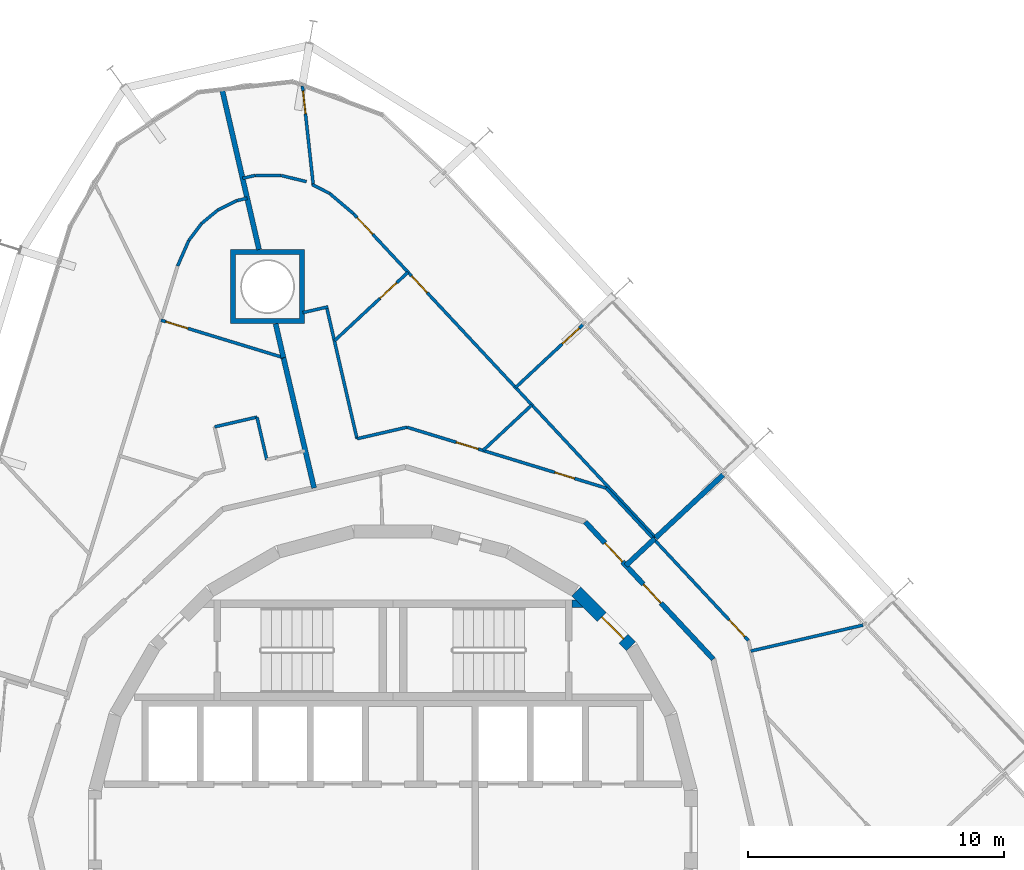
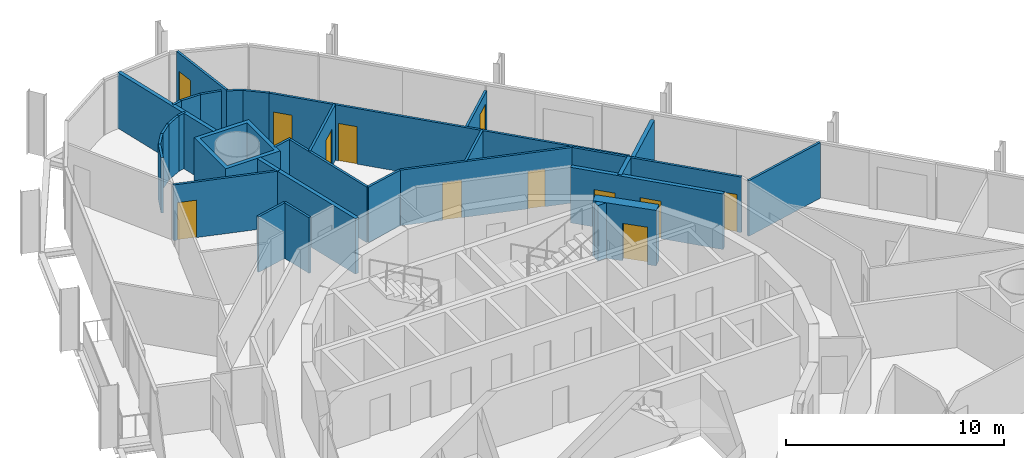
# One storey, part 16 of 18: 33 walls, 12 doors, 12 openings.
"""IFC4 building model written with IfcOpenShell, lengths in metres."""

from ifc_helpers import new_model, si_unit, direction, frame, frame_2d, origin, place, context, subcontext, project, spatial, polyline, rectangle, outline, extrude, material, layer, layer_set, type_object, element, fill, save


model = new_model("IFC4")

# Units and contexts
model_context = context("Model", 3, precision=1e-05, world=origin(), true_north=direction((0.0, 1.0)))
body_context = subcontext(model_context, "Body", "Model", "MODEL_VIEW")
ifc_project = project(units=[si_unit("LENGTHUNIT", "METRE"), si_unit("AREAUNIT", "SQUARE_METRE"), si_unit("VOLUMEUNIT", "CUBIC_METRE"), si_unit("PLANEANGLEUNIT", "RADIAN"), si_unit("MASSUNIT", "GRAM", prefix="KILO")], contexts=[model_context])

# Site, building, storey
site_placement = place(None, origin())
site = spatial("IfcSite", under=ifc_project, at=site_placement, CompositionType="ELEMENT")
building_placement = place(site_placement, origin())
building = spatial("IfcBuilding", under=site, at=building_placement, Name="Spindle Arch Residences", CompositionType="ELEMENT")
storey_placement = place(building_placement, frame((0.0, 0.0, 137.89990234375)))
storey = spatial("IfcBuildingStorey", under=building, at=storey_placement, Name="L34", CompositionType="ELEMENT", Elevation=137.89990234375)

# Wall, opening, door
ifc_material_1 = material(Name="Concrete C50/60", Category="concrete")
ifc_layer_1 = layer(ifc_material_1, 0.5)
ifc_layer_set_1 = layer_set([ifc_layer_1], Name="Core outline wall 500")
wall_type_1 = type_object("IfcWallType", Name="Core outline wall 500", PredefinedType="SHEAR", material=ifc_layer_set_1)
wall_1_placement = place(storey_placement, frame((9.30810546875, 7.163818359375, 0.0), z_axis=(0.0, 0.0, 1.0), x_axis=(-0.707106781187, 0.707106781187, 0.0)))
wall_1 = element("IfcWall", 1, at=wall_1_placement, inside=storey, type_object=wall_type_1, Name="Core outline wall 9", PredefinedType="SHEAR", context=body_context, shape_type="SweptSolid", body=[
    extrude(rectangle(XDim=3.032470703125, YDim=0.5, at=frame_2d((1.51611328125, 0.0))), origin(), (0.0, 0.0, 1.0), 3.1201171875),
])
opening_1_placement = place(wall_1_placement, frame((0.416259765625, 0.0, 0.0)))
opening_1 = element("IfcOpeningElement", 2, at=opening_1_placement, cuts=wall_1, Name="Opening R3C1-AD01", PredefinedType="OPENING", context=body_context, shape_type="SweptSolid", body=[
    extrude(rectangle(XDim=1.199951171875, YDim=2.10009765625, at=frame_2d((0.60009765625, 1.050048828125))), frame((0.0, 0.260009765625, 0.0), z_axis=(0.0, -1.0, 0.0), x_axis=(1.0, 0.0, 0.0)), (0.0, 0.0, 1.0), 0.52001953125),
])
ifc_material_2 = material(Name="Steel, fire-resisting door", Category="steel")
door_type_1 = type_object("IfcDoorType", Name="Stair airlock door 1200x2100", OperationType="SINGLE_SWING_LEFT", PredefinedType="DOOR", material=ifc_material_2)
door_1_placement = place(opening_1_placement, origin())
door_1 = element("IfcDoor", 3, at=door_1_placement, inside=storey, type_object=door_type_1, Name="Stair airlock door R3C1-AD01", OperationType="SINGLE_SWING_RIGHT", OverallHeight=2.10009765625, OverallWidth=1.199951171875, PredefinedType="DOOR", context=body_context, shape_type="SweptSolid", body=[
    extrude(rectangle(XDim=1.199951171875, YDim=2.10009765625, at=frame_2d((0.60009765625, 1.050048828125))), frame((0.0, 0.02490234375, 0.0), z_axis=(0.0, -1.0, 0.0), x_axis=(1.0, 0.0, 0.0)), (0.0, 0.0, 1.0), 0.050048828125),
])
fill(opening_1, door_1)

# Wall, openings, doors
ifc_material_3 = material(Name="Calcium silicate block, plastered")
ifc_layer_2 = layer(ifc_material_3, 0.199951171875)
ifc_layer_set_2 = layer_set([ifc_layer_2], Name="Corridor wall 200")
wall_type_2 = type_object("IfcWallType", Name="Corridor wall 200", PredefinedType="STANDARD", material=ifc_layer_set_2)
wall_2_placement = place(storey_placement, frame((12.523193359375, 6.65869140625, 0.0), z_axis=(0.0, 0.0, 1.0), x_axis=(-0.682001841105, 0.731350455479, 0.0)))
wall_2 = element("IfcWall", 4, at=wall_2_placement, inside=storey, type_object=wall_type_2, Name="Corridor wall R3C1-W006", PredefinedType="STANDARD", context=body_context, shape_type="SweptSolid", body=[
    extrude(rectangle(XDim=7.341796875, YDim=0.199951171875, at=frame_2d((3.6708984375, 0.0))), origin(), (0.0, 0.0, 1.0), 3.1201171875),
])
opening_2_placement = place(wall_2_placement, frame((3.0, 0.0, 0.0)))
opening_2 = element("IfcOpeningElement", 5, at=opening_2_placement, cuts=wall_2, Name="Opening R3C1-FD01", PredefinedType="OPENING", context=body_context, shape_type="SweptSolid", body=[
    extrude(rectangle(XDim=1.0, YDim=2.10009765625, at=frame_2d((0.5, 1.050048828125))), frame((0.0, 0.10986328125, 0.0), z_axis=(0.0, -1.0, 0.0), x_axis=(1.0, 0.0, 0.0)), (0.0, 0.0, 1.0), 0.219970703125),
])
opening_3_placement = place(wall_2_placement, frame((5.209228515625, 0.0, 0.0)))
opening_3 = element("IfcOpeningElement", 6, at=opening_3_placement, cuts=wall_2, Name="Opening R3C1-FD02", PredefinedType="OPENING", context=body_context, shape_type="SweptSolid", body=[
    extrude(rectangle(XDim=1.0, YDim=2.10009765625, at=frame_2d((0.5, 1.050048828125))), frame((0.0, 0.10986328125, 0.0), z_axis=(0.0, -1.0, 0.0), x_axis=(1.0, 0.0, 0.0)), (0.0, 0.0, 1.0), 0.219970703125),
])
ifc_material_4 = material(Name="Timber, fire-resisting door set", Category="wood")
door_type_2 = type_object("IfcDoorType", Name="Flat entrance door 1000x2100", OperationType="NOTDEFINED", PredefinedType="DOOR", material=ifc_material_4)
door_2_placement = place(opening_2_placement, origin())
door_2 = element("IfcDoor", 7, at=door_2_placement, inside=storey, type_object=door_type_2, Name="Flat entrance door R3C1-FD01", OperationType="SINGLE_SWING_LEFT", OverallHeight=2.10009765625, OverallWidth=1.0, PredefinedType="DOOR", context=body_context, shape_type="SweptSolid", body=[
    extrude(rectangle(XDim=1.0, YDim=2.10009765625, at=frame_2d((0.5, 1.050048828125))), frame((0.0, 0.02490234375, 0.0), z_axis=(0.0, -1.0, 0.0), x_axis=(1.0, 0.0, 0.0)), (0.0, 0.0, 1.0), 0.050048828125),
])
fill(opening_2, door_2)
door_3_placement = place(opening_3_placement, origin())
door_3 = element("IfcDoor", 8, at=door_3_placement, inside=storey, type_object=door_type_2, Name="Flat entrance door R3C1-FD02", OperationType="SINGLE_SWING_RIGHT", OverallHeight=2.10009765625, OverallWidth=1.0, PredefinedType="DOOR", context=body_context, shape_type="SweptSolid", body=[
    extrude(rectangle(XDim=1.0, YDim=2.10009765625, at=frame_2d((0.5, 1.050048828125))), frame((0.0, 0.02490234375, 0.0), z_axis=(0.0, -1.0, 0.0), x_axis=(1.0, 0.0, 0.0)), (0.0, 0.0, 1.0), 0.050048828125),
])
fill(opening_3, door_3)

# Wall, opening, door
ifc_material_5 = material(Name="Plasterboard on steel studs", Category="steel")
ifc_layer_3 = layer(ifc_material_5, 0.1201171875)
ifc_layer_set_3 = layer_set([ifc_layer_3], Name="Flat partition 120")
wall_type_3 = type_object("IfcWallType", Name="Flat partition 120", PredefinedType="PARTITIONING", material=ifc_layer_set_3)
wall_3_placement = place(storey_placement, frame((13.894287109375, 7.3876953125, 0.0), z_axis=(0.0, 0.0, 1.0), x_axis=(-0.681994622729, 0.731357186721, 0.0)))
wall_3 = element("IfcWall", 9, at=wall_3_placement, inside=storey, type_object=wall_type_3, Name="Flat partition R3C1-W034", PredefinedType="PARTITIONING", context=body_context, shape_type="SweptSolid", body=[
    extrude(rectangle(XDim=8.145751953125, YDim=0.1201171875, at=frame_2d((4.07275390625, 0.0))), origin(), (0.0, 0.0, 1.0), 3.1201171875),
])
opening_4_placement = place(wall_3_placement, frame((0.199951171875, 0.0, 0.0)))
opening_4 = element("IfcOpeningElement", 10, at=opening_4_placement, cuts=wall_3, Name="Opening R3C1-ID03", PredefinedType="OPENING", context=body_context, shape_type="SweptSolid", body=[
    extrude(rectangle(XDim=0.89990234375, YDim=2.10009765625, at=frame_2d((0.449951171875, 1.050048828125))), frame((0.0, 0.070068359375, 0.0), z_axis=(0.0, -1.0, 0.0), x_axis=(1.0, 0.0, 0.0)), (0.0, 0.0, 1.0), 0.14013671875),
])
ifc_material_6 = material(Name="Timber door set", Category="wood")
door_type_3 = type_object("IfcDoorType", Name="Room door 900x2100", OperationType="NOTDEFINED", PredefinedType="DOOR", material=ifc_material_6)
door_4_placement = place(opening_4_placement, origin())
door_4 = element("IfcDoor", 11, at=door_4_placement, inside=storey, type_object=door_type_3, Name="Room door R3C1-ID03", OperationType="SINGLE_SWING_LEFT", OverallHeight=2.10009765625, OverallWidth=0.89990234375, PredefinedType="DOOR", context=body_context, shape_type="SweptSolid", body=[
    extrude(rectangle(XDim=0.89990234375, YDim=2.10009765625, at=frame_2d((0.449951171875, 1.050048828125))), frame((0.0, 0.02490234375, 0.0), z_axis=(0.0, -1.0, 0.0), x_axis=(1.0, 0.0, 0.0)), (0.0, 0.0, 1.0), 0.050048828125),
])
fill(opening_4, door_4)

# Wall
wall_4_placement = place(storey_placement, frame((18.379150390625, 7.989990234375, 0.0), z_axis=(0.0, 0.0, 1.0), x_axis=(-0.974372926515, -0.224938658471, 0.0)))
element("IfcWall", 12, at=wall_4_placement, inside=storey, type_object=wall_type_3, Name="Flat partition R3C1-W040", PredefinedType="PARTITIONING", context=body_context, shape_type="SweptSolid", body=[
    extrude(rectangle(XDim=4.50537109375, YDim=0.1201171875, at=frame_2d((2.252685546875, 0.0))), origin(), (0.0, 0.0, 1.0), 3.1201171875),
])

# Wall, openings, doors
wall_5_placement = place(storey_placement, frame((8.3388671875, 13.34521484375, 0.0), z_axis=(0.0, 0.0, 1.0), x_axis=(-0.956310145342, 0.292354076276, 0.0)))
wall_5 = element("IfcWall", 13, at=wall_5_placement, inside=storey, type_object=wall_type_3, Name="Flat partition R3C1-W043", PredefinedType="PARTITIONING", context=body_context, shape_type="SweptSolid", body=[
    extrude(rectangle(XDim=8.1455078125, YDim=0.1201171875, at=frame_2d((4.07275390625, 0.0))), origin(), (0.0, 0.0, 1.0), 3.1201171875),
])
opening_5_placement = place(wall_5_placement, frame((1.300048828125, 0.0, 0.0)))
opening_5 = element("IfcOpeningElement", 14, at=opening_5_placement, cuts=wall_5, Name="Opening R3C1-BD02", PredefinedType="OPENING", context=body_context, shape_type="SweptSolid", body=[
    extrude(rectangle(XDim=0.800048828125, YDim=2.10009765625, at=frame_2d((0.39990234375, 1.050048828125))), frame((0.0, 0.070068359375, 0.0), z_axis=(0.0, -1.0, 0.0), x_axis=(1.0, 0.0, 0.0)), (0.0, 0.0, 1.0), 0.14013671875),
])
opening_6_placement = place(wall_5_placement, frame((5.236572265625, 0.0, 0.0)))
opening_6 = element("IfcOpeningElement", 15, at=opening_6_placement, cuts=wall_5, Name="Opening R3C1-ID07", PredefinedType="OPENING", context=body_context, shape_type="SweptSolid", body=[
    extrude(rectangle(XDim=0.89990234375, YDim=2.10009765625, at=frame_2d((0.449951171875, 1.050048828125))), frame((0.0, 0.070068359375, 0.0), z_axis=(0.0, -1.0, 0.0), x_axis=(1.0, 0.0, 0.0)), (0.0, 0.0, 1.0), 0.14013671875),
])
ifc_material_7 = material(Name="Timber door set", Category="wood")
door_type_4 = type_object("IfcDoorType", Name="Bathroom door 800x2100", OperationType="NOTDEFINED", PredefinedType="DOOR", material=ifc_material_7)
door_5_placement = place(opening_5_placement, origin())
door_5 = element("IfcDoor", 16, at=door_5_placement, inside=storey, type_object=door_type_4, Name="Bathroom door R3C1-BD02", OperationType="SINGLE_SWING_RIGHT", OverallHeight=2.10009765625, OverallWidth=0.800048828125, PredefinedType="DOOR", context=body_context, shape_type="SweptSolid", body=[
    extrude(rectangle(XDim=0.800048828125, YDim=2.10009765625, at=frame_2d((0.39990234375, 1.050048828125))), frame((0.0, 0.02490234375, 0.0), z_axis=(0.0, -1.0, 0.0), x_axis=(1.0, 0.0, 0.0)), (0.0, 0.0, 1.0), 0.050048828125),
])
fill(opening_5, door_5)
door_6_placement = place(opening_6_placement, origin())
door_6 = element("IfcDoor", 17, at=door_6_placement, inside=storey, type_object=door_type_3, Name="Room door R3C1-ID07", OperationType="SINGLE_SWING_RIGHT", OverallHeight=2.10009765625, OverallWidth=0.89990234375, PredefinedType="DOOR", context=body_context, shape_type="SweptSolid", body=[
    extrude(rectangle(XDim=0.89990234375, YDim=2.10009765625, at=frame_2d((0.449951171875, 1.050048828125))), frame((0.0, 0.02490234375, 0.0), z_axis=(0.0, -1.0, 0.0), x_axis=(1.0, 0.0, 0.0)), (0.0, 0.0, 1.0), 0.050048828125),
])
fill(opening_6, door_6)

# Walls
wall_6_placement = place(storey_placement, frame((0.54931640625, 15.7265625, 0.0), z_axis=(0.0, 0.0, 1.0), x_axis=(-0.97436861061, -0.224957352975, 0.0)))
element("IfcWall", 18, at=wall_6_placement, inside=storey, type_object=wall_type_3, Name="Flat partition R3C1-W044", PredefinedType="PARTITIONING", context=body_context, shape_type="SweptSolid", body=[
    extrude(rectangle(XDim=2.00439453125, YDim=0.1201171875, at=frame_2d((1.002197265625, 0.0))), origin(), (0.0, 0.0, 1.0), 3.1201171875),
])
wall_7_placement = place(storey_placement, frame((-1.40380859375, 15.275634765625, 0.0), z_axis=(0.0, 0.0, 1.0), x_axis=(-0.224947305813, 0.974370930194, 0.0)))
element("IfcWall", 19, at=wall_7_placement, inside=storey, type_object=wall_type_3, Name="Flat partition R3C1-W045", PredefinedType="PARTITIONING", context=body_context, shape_type="SweptSolid", body=[
    extrude(rectangle(XDim=5.280029296875, YDim=0.1201171875, at=frame_2d((2.64013671875, 0.0))), origin(), (0.0, 0.0, 1.0), 3.1201171875),
])
wall_8_placement = place(storey_placement, frame((-2.533203125, 20.43408203125, 0.0), z_axis=(0.0, 0.0, 1.0), x_axis=(-0.974387124574, -0.224877147491, 0.0)))
element("IfcWall", 20, at=wall_8_placement, inside=storey, type_object=wall_type_3, Name="Flat partition R3C1-W046", PredefinedType="PARTITIONING", context=body_context, shape_type="SweptSolid", body=[
    extrude(rectangle(XDim=1.0107421875, YDim=0.1201171875, at=frame_2d((0.50537109375, 0.0))), origin(), (0.0, 0.0, 1.0), 3.1201171875),
])

# Wall, openings, doors
wall_9_placement = place(storey_placement, frame((-1.538818359375, 24.07080078125, 0.0), z_axis=(0.0, 0.0, 1.0), x_axis=(0.68200220595, -0.731350115252, 0.0)))
wall_9 = element("IfcWall", 21, at=wall_9_placement, inside=storey, type_object=wall_type_3, Name="Flat partition R3C1-W047", PredefinedType="PARTITIONING", context=body_context, shape_type="SweptSolid", body=[
    extrude(rectangle(XDim=17.315673828125, YDim=0.1201171875, at=frame_2d((8.65771484375, 0.0))), origin(), (0.0, 0.0, 1.0), 3.1201171875),
])
opening_7_placement = place(wall_9_placement, frame((3.322998046875, 0.0, 0.0)))
opening_7 = element("IfcOpeningElement", 22, at=opening_7_placement, cuts=wall_9, Name="Opening R3C1-ID08", PredefinedType="OPENING", context=body_context, shape_type="SweptSolid", body=[
    extrude(rectangle(XDim=0.89990234375, YDim=2.10009765625, at=frame_2d((0.449951171875, 1.050048828125))), frame((0.0, 0.070068359375, 0.0), z_axis=(0.0, -1.0, 0.0), x_axis=(1.0, 0.0, 0.0)), (0.0, 0.0, 1.0), 0.14013671875),
])
opening_8_placement = place(wall_9_placement, frame((0.199951171875, 0.0, 0.0)))
opening_8 = element("IfcOpeningElement", 23, at=opening_8_placement, cuts=wall_9, Name="Opening R3C1-ID12", PredefinedType="OPENING", context=body_context, shape_type="SweptSolid", body=[
    extrude(rectangle(XDim=0.89990234375, YDim=2.10009765625, at=frame_2d((0.449951171875, 1.050048828125))), frame((0.0, 0.070068359375, 0.0), z_axis=(0.0, -1.0, 0.0), x_axis=(1.0, 0.0, 0.0)), (0.0, 0.0, 1.0), 0.14013671875),
])
door_7_placement = place(opening_7_placement, origin())
door_7 = element("IfcDoor", 24, at=door_7_placement, inside=storey, type_object=door_type_3, Name="Room door R3C1-ID08", OperationType="SINGLE_SWING_RIGHT", OverallHeight=2.10009765625, OverallWidth=0.89990234375, PredefinedType="DOOR", context=body_context, shape_type="SweptSolid", body=[
    extrude(rectangle(XDim=0.89990234375, YDim=2.10009765625, at=frame_2d((0.449951171875, 1.050048828125))), frame((0.0, 0.02490234375, 0.0), z_axis=(0.0, -1.0, 0.0), x_axis=(1.0, 0.0, 0.0)), (0.0, 0.0, 1.0), 0.050048828125),
])
fill(opening_7, door_7)
door_8_placement = place(opening_8_placement, origin())
door_8 = element("IfcDoor", 25, at=door_8_placement, inside=storey, type_object=door_type_3, Name="Room door R3C1-ID12", OperationType="SINGLE_SWING_LEFT", OverallHeight=2.10009765625, OverallWidth=0.89990234375, PredefinedType="DOOR", context=body_context, shape_type="SweptSolid", body=[
    extrude(rectangle(XDim=0.89990234375, YDim=2.10009765625, at=frame_2d((0.449951171875, 1.050048828125))), frame((0.0, 0.02490234375, 0.0), z_axis=(0.0, -1.0, 0.0), x_axis=(1.0, 0.0, 0.0)), (0.0, 0.0, 1.0), 0.050048828125),
])
fill(opening_8, door_8)

# Walls
wall_10_placement = place(storey_placement, frame((5.4306640625, 16.596923828125, 0.0), z_axis=(0.0, 0.0, 1.0), x_axis=(-0.731378807316, -0.681971436505, 0.0)))
element("IfcWall", 26, at=wall_10_placement, inside=storey, type_object=wall_type_3, Name="Flat partition R3C1-W049", PredefinedType="PARTITIONING", context=body_context, shape_type="SweptSolid", body=[
    extrude(rectangle(XDim=2.609130859375, YDim=0.1201171875, at=frame_2d((1.3046875, 0.0))), origin(), (0.0, 0.0, 1.0), 3.1201171875),
])
wall_11_placement = place(storey_placement, frame((-3.156005859375, 25.21240234375, 0.0), z_axis=(0.0, 0.0, 1.0), x_axis=(0.890954246936, -0.454093085025, 0.0)))
element("IfcWall", 27, at=wall_11_placement, inside=storey, type_object=wall_type_3, Name="Flat partition R3C1-W050", PredefinedType="PARTITIONING", context=body_context, shape_type="SweptSolid", body=[
    extrude(rectangle(XDim=0.76513671875, YDim=0.1201171875, at=frame_2d((0.382568359375, 0.0))), origin(), (0.0, 0.0, 1.0), 3.1201171875),
])
wall_12_placement = place(storey_placement, frame((-2.474365234375, 24.864990234375, 0.0), z_axis=(0.0, 0.0, 1.0), x_axis=(0.762351487461, -0.647163201647, 0.0)))
element("IfcWall", 28, at=wall_12_placement, inside=storey, type_object=wall_type_3, Name="Flat partition R3C1-W051", PredefinedType="PARTITIONING", context=body_context, shape_type="SweptSolid", body=[
    extrude(rectangle(XDim=1.227294921875, YDim=0.1201171875, at=frame_2d((0.61376953125, 0.0))), origin(), (0.0, 0.0, 1.0), 3.1201171875),
])

# Wall, opening, door
wall_13_placement = place(storey_placement, frame((-3.53759765625, 29.069580078125, 0.0), z_axis=(0.0, 0.0, 1.0), x_axis=(0.1087420482, -0.994070001033, 0.0)))
wall_13 = element("IfcWall", 29, at=wall_13_placement, inside=storey, type_object=wall_type_3, Name="Flat partition R3C1-W052", PredefinedType="PARTITIONING", context=body_context, shape_type="SweptSolid", body=[
    extrude(rectangle(XDim=3.902099609375, YDim=0.1201171875, at=frame_2d((1.951171875, 0.0))), origin(), (0.0, 0.0, 1.0), 3.1201171875),
])
opening_9_placement = place(wall_13_placement, frame((0.199951171875, 0.0, 0.0)))
opening_9 = element("IfcOpeningElement", 30, at=opening_9_placement, cuts=wall_13, Name="Opening R3C1-ID11", PredefinedType="OPENING", context=body_context, shape_type="SweptSolid", body=[
    extrude(rectangle(XDim=0.89990234375, YDim=2.10009765625, at=frame_2d((0.449951171875, 1.050048828125))), frame((0.0, 0.070068359375, 0.0), z_axis=(0.0, -1.0, 0.0), x_axis=(1.0, 0.0, 0.0)), (0.0, 0.0, 1.0), 0.14013671875),
])
door_9_placement = place(opening_9_placement, origin())
door_9 = element("IfcDoor", 31, at=door_9_placement, inside=storey, type_object=door_type_3, Name="Room door R3C1-ID11", OperationType="SINGLE_SWING_RIGHT", OverallHeight=2.10009765625, OverallWidth=0.89990234375, PredefinedType="DOOR", context=body_context, shape_type="SweptSolid", body=[
    extrude(rectangle(XDim=0.89990234375, YDim=2.10009765625, at=frame_2d((0.449951171875, 1.050048828125))), frame((0.0, 0.02490234375, 0.0), z_axis=(0.0, -1.0, 0.0), x_axis=(1.0, 0.0, 0.0)), (0.0, 0.0, 1.0), 0.050048828125),
])
fill(opening_9, door_9)

wall_14_placement = place(storey_placement, frame((0.591064453125, 21.786865234375, 0.0), z_axis=(0.0, 0.0, 1.0), x_axis=(-0.731364619453, -0.681986651931, 0.0)))
wall_14 = element("IfcWall", 32, at=wall_14_placement, inside=storey, type_object=wall_type_3, Name="Flat partition R3C1-W053", PredefinedType="PARTITIONING", context=body_context, shape_type="SweptSolid", body=[
    extrude(rectangle(XDim=3.935791015625, YDim=0.1201171875, at=frame_2d((1.9677734375, 0.0))), origin(), (0.0, 0.0, 1.0), 3.1201171875),
])
opening_10_placement = place(wall_14_placement, frame((0.60009765625, 0.0, 0.0)))
opening_10 = element("IfcOpeningElement", 33, at=opening_10_placement, cuts=wall_14, Name="Opening R3C1-ID09", PredefinedType="OPENING", context=body_context, shape_type="SweptSolid", body=[
    extrude(rectangle(XDim=0.89990234375, YDim=2.10009765625, at=frame_2d((0.449951171875, 1.050048828125))), frame((0.0, 0.070068359375, 0.0), z_axis=(0.0, -1.0, 0.0), x_axis=(1.0, 0.0, 0.0)), (0.0, 0.0, 1.0), 0.14013671875),
])
door_10_placement = place(opening_10_placement, origin())
door_10 = element("IfcDoor", 34, at=door_10_placement, inside=storey, type_object=door_type_3, Name="Room door R3C1-ID09", OperationType="SINGLE_SWING_RIGHT", OverallHeight=2.10009765625, OverallWidth=0.89990234375, PredefinedType="DOOR", context=body_context, shape_type="SweptSolid", body=[
    extrude(rectangle(XDim=0.89990234375, YDim=2.10009765625, at=frame_2d((0.449951171875, 1.050048828125))), frame((0.0, 0.02490234375, 0.0), z_axis=(0.0, -1.0, 0.0), x_axis=(1.0, 0.0, 0.0)), (0.0, 0.0, 1.0), 0.050048828125),
])
fill(opening_10, door_10)

# Walls
wall_15_placement = place(storey_placement, frame((-3.37939453125, 25.326416015625, 0.0), z_axis=(0.0, 0.0, 1.0), x_axis=(-0.971704876381, 0.236198292157, 0.0)))
element("IfcWall", 35, at=wall_15_placement, inside=storey, type_object=wall_type_3, Name="Flat partition R3C1-W054", PredefinedType="PARTITIONING", context=body_context, shape_type="SweptSolid", body=[
    extrude(rectangle(XDim=1.01611328125, YDim=0.1201171875, at=frame_2d((0.508056640625, 0.0))), origin(), (0.0, 0.0, 1.0), 3.1201171875),
])
wall_16_placement = place(storey_placement, frame((-4.36669921875, 25.56640625, 0.0), z_axis=(0.0, 0.0, 1.0), x_axis=(-0.999983366401, 0.005767748328, 0.0)))
element("IfcWall", 36, at=wall_16_placement, inside=storey, type_object=wall_type_3, Name="Flat partition R3C1-W055", PredefinedType="PARTITIONING", context=body_context, shape_type="SweptSolid", body=[
    extrude(rectangle(XDim=1.015869140625, YDim=0.1201171875, at=frame_2d((0.5078125, 0.0))), origin(), (0.0, 0.0, 1.0), 3.1201171875),
])
wall_17_placement = place(storey_placement, frame((-5.382568359375, 25.572265625, 0.0), z_axis=(0.0, 0.0, 1.0), x_axis=(-0.974366885246, -0.224964825997, 0.0)))
element("IfcWall", 37, at=wall_17_placement, inside=storey, type_object=wall_type_3, Name="Flat partition R3C1-W056", PredefinedType="PARTITIONING", context=body_context, shape_type="SweptSolid", body=[
    extrude(rectangle(XDim=0.5078125, YDim=0.1201171875, at=frame_2d((0.25390625, 0.0))), origin(), (0.0, 0.0, 1.0), 3.1201171875),
])
wall_18_placement = place(storey_placement, frame((-4.931396484375, 14.461181640625, 0.0), z_axis=(0.0, 0.0, 1.0), x_axis=(-0.224911785629, 0.974379129849, 0.0)))
element("IfcWall", 38, at=wall_18_placement, inside=storey, type_object=wall_type_3, Name="Flat partition R3C1-W058", PredefinedType="PARTITIONING", context=body_context, shape_type="SweptSolid", body=[
    extrude(rectangle(XDim=1.705322265625, YDim=0.1201171875, at=frame_2d((0.8525390625, 0.0))), origin(), (0.0, 0.0, 1.0), 3.1201171875),
])
wall_19_placement = place(storey_placement, frame((-5.31494140625, 16.122802734375, 0.0), z_axis=(0.0, 0.0, 1.0), x_axis=(-0.974352456598, -0.225027310168, 0.0)))
element("IfcWall", 39, at=wall_19_placement, inside=storey, type_object=wall_type_3, Name="Flat partition R3C1-W059", PredefinedType="PARTITIONING", context=body_context, shape_type="SweptSolid", body=[
    extrude(rectangle(XDim=1.7001953125, YDim=0.1201171875, at=frame_2d((0.85009765625, 0.0))), origin(), (0.0, 0.0, 1.0), 3.1201171875),
])
wall_20_placement = place(storey_placement, frame((-5.697509765625, 24.6787109375, 0.0), z_axis=(0.0, 0.0, 1.0), x_axis=(-0.974222160042, -0.225590742017, 0.0)))
element("IfcWall", 40, at=wall_20_placement, inside=storey, type_object=wall_type_3, Name="Flat partition R3C1-W064", PredefinedType="PARTITIONING", context=body_context, shape_type="SweptSolid", body=[
    extrude(rectangle(XDim=0.41455078125, YDim=0.1201171875, at=frame_2d((0.207275390625, 0.0))), origin(), (0.0, 0.0, 1.0), 3.1201171875),
])
wall_21_placement = place(storey_placement, frame((-6.101318359375, 24.585205078125, 0.0), z_axis=(0.0, 0.0, 1.0), x_axis=(-0.896362871824, -0.443321104862, 0.0)))
element("IfcWall", 41, at=wall_21_placement, inside=storey, type_object=wall_type_3, Name="Flat partition R3C1-W065", PredefinedType="PARTITIONING", context=body_context, shape_type="SweptSolid", body=[
    extrude(rectangle(XDim=0.828857421875, YDim=0.1201171875, at=frame_2d((0.41455078125, 0.0))), origin(), (0.0, 0.0, 1.0), 3.1201171875),
])
wall_22_placement = place(storey_placement, frame((-6.84423828125, 24.2177734375, 0.0), z_axis=(0.0, 0.0, 1.0), x_axis=(-0.769715611418, -0.63838693403, 0.0)))
element("IfcWall", 42, at=wall_22_placement, inside=storey, type_object=wall_type_3, Name="Flat partition R3C1-W066", PredefinedType="PARTITIONING", context=body_context, shape_type="SweptSolid", body=[
    extrude(rectangle(XDim=0.8291015625, YDim=0.1201171875, at=frame_2d((0.41455078125, 0.0))), origin(), (0.0, 0.0, 1.0), 3.1201171875),
])
wall_23_placement = place(storey_placement, frame((-7.482421875, 23.6884765625, 0.0), z_axis=(0.0, 0.0, 1.0), x_axis=(-0.601836624867, -0.798619231529, 0.0)))
element("IfcWall", 43, at=wall_23_placement, inside=storey, type_object=wall_type_3, Name="Flat partition R3C1-W067", PredefinedType="PARTITIONING", context=body_context, shape_type="SweptSolid", body=[
    extrude(rectangle(XDim=0.828857421875, YDim=0.1201171875, at=frame_2d((0.41455078125, 0.0))), origin(), (0.0, 0.0, 1.0), 3.1201171875),
])
wall_24_placement = place(storey_placement, frame((-7.981201171875, 23.026611328125, 0.0), z_axis=(0.0, 0.0, 1.0), x_axis=(-0.401360750198, -0.915920055573, 0.0)))
element("IfcWall", 44, at=wall_24_placement, inside=storey, type_object=wall_type_3, Name="Flat partition R3C1-W068", PredefinedType="PARTITIONING", context=body_context, shape_type="SweptSolid", body=[
    extrude(rectangle(XDim=1.0869140625, YDim=0.1201171875, at=frame_2d((0.54345703125, 0.0))), origin(), (0.0, 0.0, 1.0), 3.1201171875),
])

# Wall, opening, door
wall_25_placement = place(storey_placement, frame((-9.06591796875, 19.910400390625, 0.0), z_axis=(0.0, 0.0, 1.0), x_axis=(0.956313309797, -0.292343724928, 0.0)))
wall_25 = element("IfcWall", 45, at=wall_25_placement, inside=storey, type_object=wall_type_3, Name="Flat partition R3C1-W070", PredefinedType="PARTITIONING", context=body_context, shape_type="SweptSolid", body=[
    extrude(rectangle(XDim=5.00390625, YDim=0.1201171875, at=frame_2d((2.501953125, 0.0))), origin(), (0.0, 0.0, 1.0), 3.1201171875),
])
opening_11_placement = place(wall_25_placement, frame((0.199951171875, 0.0, 0.0)))
opening_11 = element("IfcOpeningElement", 46, at=opening_11_placement, cuts=wall_25, Name="Opening R3C1-ID15", PredefinedType="OPENING", context=body_context, shape_type="SweptSolid", body=[
    extrude(rectangle(XDim=0.89990234375, YDim=2.10009765625, at=frame_2d((0.449951171875, 1.050048828125))), frame((0.0, 0.070068359375, 0.0), z_axis=(0.0, -1.0, 0.0), x_axis=(1.0, 0.0, 0.0)), (0.0, 0.0, 1.0), 0.14013671875),
])
door_11_placement = place(opening_11_placement, origin())
door_11 = element("IfcDoor", 47, at=door_11_placement, inside=storey, type_object=door_type_3, Name="Room door R3C1-ID15", OperationType="SINGLE_SWING_LEFT", OverallHeight=2.10009765625, OverallWidth=0.89990234375, PredefinedType="DOOR", context=body_context, shape_type="SweptSolid", body=[
    extrude(rectangle(XDim=0.89990234375, YDim=2.10009765625, at=frame_2d((0.449951171875, 1.050048828125))), frame((0.0, 0.02490234375, 0.0), z_axis=(0.0, -1.0, 0.0), x_axis=(1.0, 0.0, 0.0)), (0.0, 0.0, 1.0), 0.050048828125),
])
fill(opening_11, door_11)

ifc_material_8 = material(Name="Plasterboard on steel studs", Category="steel")
ifc_layer_4 = layer(ifc_material_8, 0.1201171875)
ifc_layer_set_4 = layer_set([ifc_layer_4], Name="Flat partition 120 under beam 2730")
wall_type_4 = type_object("IfcWallType", Name="Flat partition 120 under beam 2730", PredefinedType="PARTITIONING", material=ifc_layer_set_4)
wall_26_placement = place(storey_placement, frame((7.427490234375, 19.734375, 0.0), z_axis=(0.0, 0.0, 1.0), x_axis=(-0.73139345201, -0.681955730497, 0.0)))
wall_26 = element("IfcWall", 48, at=wall_26_placement, inside=storey, type_object=wall_type_4, Name="Flat partition R3C1-W048", PredefinedType="PARTITIONING", context=body_context, shape_type="SweptSolid", body=[
    extrude(rectangle(XDim=3.60009765625, YDim=0.1201171875, at=frame_2d((1.800048828125, 0.0))), origin(), (0.0, 0.0, 1.0), 2.72998046875),
])
opening_12_placement = place(wall_26_placement, frame((0.199951171875, 0.0, 0.0)))
opening_12 = element("IfcOpeningElement", 49, at=opening_12_placement, cuts=wall_26, Name="Opening R3C1-ID10", PredefinedType="OPENING", context=body_context, shape_type="SweptSolid", body=[
    extrude(rectangle(XDim=0.89990234375, YDim=2.10009765625, at=frame_2d((0.449951171875, 1.050048828125))), frame((0.0, 0.070068359375, 0.0), z_axis=(0.0, -1.0, 0.0), x_axis=(1.0, 0.0, 0.0)), (0.0, 0.0, 1.0), 0.14013671875),
])
door_12_placement = place(opening_12_placement, origin())
door_12 = element("IfcDoor", 50, at=door_12_placement, inside=storey, type_object=door_type_3, Name="Room door R3C1-ID10", OperationType="SINGLE_SWING_LEFT", OverallHeight=2.10009765625, OverallWidth=0.89990234375, PredefinedType="DOOR", context=body_context, shape_type="SweptSolid", body=[
    extrude(rectangle(XDim=0.89990234375, YDim=2.10009765625, at=frame_2d((0.449951171875, 1.050048828125))), frame((0.0, 0.02490234375, 0.0), z_axis=(0.0, -1.0, 0.0), x_axis=(1.0, 0.0, 0.0)), (0.0, 0.0, 1.0), 0.050048828125),
])
fill(opening_12, door_12)

# Walls
ifc_material_9 = material(Name="Calcium silicate block, plastered")
ifc_layer_5 = layer(ifc_material_9, 0.199951171875)
ifc_layer_set_5 = layer_set([ifc_layer_5], Name="Flat party wall 200")
wall_type_5 = type_object("IfcWallType", Name="Flat party wall 200", PredefinedType="STANDARD", material=ifc_layer_set_5)
wall_27_placement = place(storey_placement, frame((10.233154296875, 11.372314453125, 0.0), z_axis=(0.0, 0.0, 1.0), x_axis=(-0.731329353292, -0.682024469513, 0.0)))
element("IfcWall", 51, at=wall_27_placement, inside=storey, type_object=wall_type_5, Name="Flat party wall R3C1-W016", PredefinedType="STANDARD", context=body_context, shape_type="SweptSolid", body=[
    extrude(rectangle(XDim=1.5400390625, YDim=0.199951171875, at=frame_2d((0.77001953125, 0.0))), origin(), (0.0, 0.0, 1.0), 3.1201171875),
])
wall_28_placement = place(storey_placement, frame((-4.280517578125, 18.447509765625, 0.0), z_axis=(0.0, 0.0, 1.0), x_axis=(0.228867856942, -0.973457499873, 0.0)))
element("IfcWall", 52, at=wall_28_placement, inside=storey, type_object=wall_type_5, Name="Flat party wall R3C1-W021", PredefinedType="STANDARD", context=body_context, shape_type="SweptSolid", body=[
    extrude(rectangle(XDim=5.237548828125, YDim=0.199951171875, at=frame_2d((2.61865234375, 0.0))), origin(), (0.0, 0.0, 1.0), 3.1201171875),
])
wall_29_placement = place(storey_placement, frame((-4.5859375, 19.770751953125, 0.0), z_axis=(0.0, 0.0, 1.0), x_axis=(0.224898895484, -0.974382105136, 0.0)))
element("IfcWall", 53, at=wall_29_placement, inside=storey, type_object=wall_type_5, Name="Flat party wall R3C1-W022", PredefinedType="STANDARD", context=body_context, shape_type="SweptSolid", body=[
    extrude(rectangle(XDim=1.35791015625, YDim=0.199951171875, at=frame_2d((0.678955078125, 0.0))), origin(), (0.0, 0.0, 1.0), 3.1201171875),
])
wall_30_placement = place(storey_placement, frame((-6.687255859375, 28.9658203125, 0.0), z_axis=(0.0, 0.0, 1.0), x_axis=(0.224945100086, -0.974371439415, 0.0)))
element("IfcWall", 54, at=wall_30_placement, inside=storey, type_object=wall_type_5, Name="Flat party wall R3C1-W023", PredefinedType="STANDARD", context=body_context, shape_type="SweptSolid", body=[
    extrude(rectangle(XDim=6.457763671875, YDim=0.199951171875, at=frame_2d((3.22900390625, 0.0))), origin(), (0.0, 0.0, 1.0), 3.1201171875),
])
ifc_material_10 = material(Name="Calcium silicate block, plastered")
ifc_layer_6 = layer(ifc_material_10, 0.199951171875)
ifc_layer_set_6 = layer_set([ifc_layer_6], Name="Flat party wall 200 under beam 2730")
wall_type_6 = type_object("IfcWallType", Name="Flat party wall 200 under beam 2730", PredefinedType="STANDARD", material=ifc_layer_set_6)
wall_31_placement = place(storey_placement, frame((12.9033203125, 13.8623046875, 0.0), z_axis=(0.0, 0.0, 1.0), x_axis=(-0.731328084739, -0.682025829769, 0.0)))
element("IfcWall", 55, at=wall_31_placement, inside=storey, type_object=wall_type_6, Name="Flat party wall R3C1-W019", PredefinedType="STANDARD", context=body_context, shape_type="SweptSolid", body=[
    extrude(rectangle(XDim=3.60009765625, YDim=0.199951171875, at=frame_2d((1.800048828125, 0.0))), origin(), (0.0, 0.0, 1.0), 2.72998046875),
])
ifc_material_11 = material(Name="Calcium silicate block, plastered")
ifc_layer_7 = layer(ifc_material_11, 0.199951171875)
ifc_layer_set_7 = layer_set([ifc_layer_7], Name="Mega-column casing wall 200")
wall_type_7 = type_object("IfcWallType", Name="Mega-column casing wall 200", PredefinedType="STANDARD", material=ifc_layer_set_7)
wall_32_placement = place(storey_placement, origin())
element("IfcWall", 56, at=wall_32_placement, inside=storey, type_object=wall_type_7, Name="Mega-column casing wall R3C1-WC01", PredefinedType="STANDARD", context=body_context, shape_type="SweptSolid", body=[
    extrude(outline(polyline([(-3.44970703125, 22.673583984375), (-3.44970703125, 19.7734375), (-6.349853515625, 19.7734375), (-6.349853515625, 22.673583984375), (-3.44970703125, 22.673583984375)]), holes=[polyline([(-6.14990234375, 19.973388671875), (-3.64990234375, 19.973388671875), (-3.64990234375, 22.473388671875), (-6.14990234375, 22.473388671875), (-6.14990234375, 19.973388671875)])]), origin(), (0.0, 0.0, 1.0), 3.1201171875),
])
ifc_material_12 = material(Name="Concrete C40/50", Category="concrete")
wall_type_8 = type_object("IfcWallType", Name="Stair airlock wall profile", PredefinedType="SHEAR", material=ifc_material_12)
wall_33_placement = place(storey_placement, origin())
element("IfcWall", 57, at=wall_33_placement, inside=storey, type_object=wall_type_8, Name="Stair ST-1 airlock wall N", PredefinedType="SHEAR", context=body_context, shape_type="SweptSolid", body=[
    extrude(outline(polyline([(7.4482421875, 8.669921875), (7.0, 8.669921875), (7.0, 8.969970703125), (7.148193359375, 8.969970703125), (7.4482421875, 8.669921875)])), origin(), (0.0, 0.0, 1.0), 3.1201171875),
])

save(model, "model.ifc")
